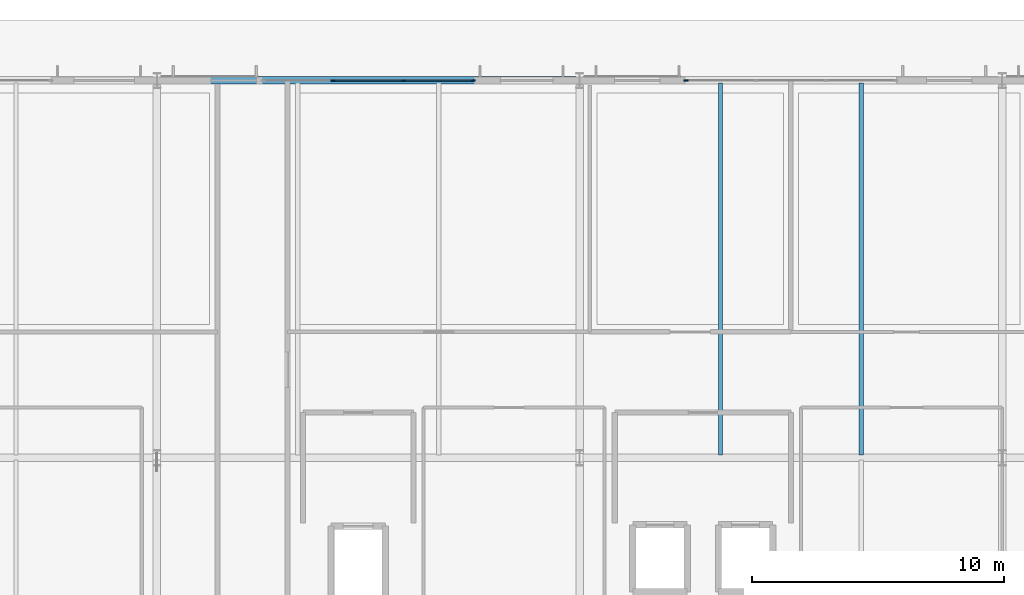
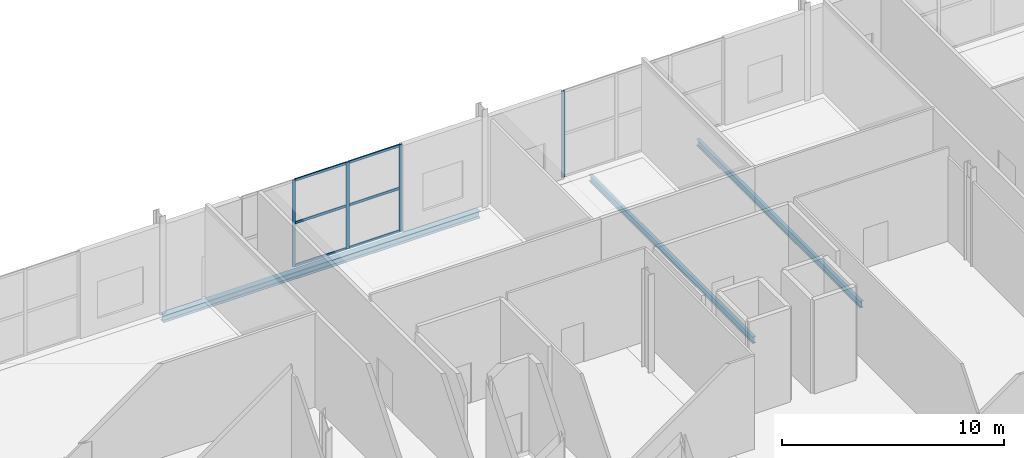
# One storey, part 34 of 87: 10 members, 3 beams, 2 elements without a shape of their own.
"""IFC4 building model written with IfcOpenShell, lengths in metres."""

import ifcopenshell
import ifcopenshell.guid

model = None  # the IFC model being written
_history = None  # IfcOwnerHistory: only IFC2X3 demands one
_inside = {}  # id of a spatial element -> (the spatial element, [elements in it])
_under = {}  # id of a project, library or spatial element -> (it, [spatial elements below it])
_declared = {}  # id of a project -> (the project, [libraries it declares])
_typed = {}  # id of a type object -> (the type object, [elements of that type])
_made_of = {}  # id of a material, layer set ... -> (it, [elements and type objects made of it])


def new_model(schema):
    """Start an empty IFC model of exactly this schema.

    Asked for "IFC4X3", IfcOpenShell would pick the latest addendum, in which some entities
    have other attributes; the version numbers below select the first issue.
    IFC2X3 requires an IfcOwnerHistory on every rooted entity: one is made here for all.
    """
    global model, _history
    if schema == "IFC4X3":
        model = ifcopenshell.file(schema_version=(4, 3, 0, 0))
    else:
        model = ifcopenshell.file(schema=schema)
    _inside.clear()
    _under.clear()
    _declared.clear()
    _typed.clear()
    _made_of.clear()
    _history = None
    if model.schema == "IFC2X3":
        org = make("IfcOrganization", Name="unknown")
        user = make(
            "IfcPersonAndOrganization",
            ThePerson=make("IfcPerson", FamilyName="unknown"),
            TheOrganization=org,
        )
        app = make(
            "IfcApplication",
            ApplicationDeveloper=org,
            Version="unknown",
            ApplicationFullName="unknown",
            ApplicationIdentifier="unknown",
        )
        _history = make(
            "IfcOwnerHistory",
            OwningUser=user,
            OwningApplication=app,
            ChangeAction="ADDED",
            CreationDate=0,
        )
    return model


def make(cls, **values):
    """One entity of the class cls with the attributes given. An attribute that is None is left unset."""
    return model.create_entity(
        cls, **{name: value for name, value in values.items() if value is not None}
    )


def rooted(cls, **values):
    """An entity with a GlobalId (a new one), such as an element, a storey or a relation."""
    return make(cls, GlobalId=ifcopenshell.guid.new(), OwnerHistory=_history, **values)


def si_unit(unit_type, name, prefix=None):
    """IfcSIUnit, for example si_unit("LENGTHUNIT", "METRE", prefix="MILLI")."""
    return make("IfcSIUnit", UnitType=unit_type, Prefix=prefix, Name=name)


def assignment(units):
    """IfcUnitAssignment: the units of a project."""
    return None if units is None else make("IfcUnitAssignment", Units=units)


def point(xyz):
    """IfcCartesianPoint."""
    return None if xyz is None else make("IfcCartesianPoint", Coordinates=xyz)


def direction(xyz):
    """IfcDirection."""
    return None if xyz is None else make("IfcDirection", DirectionRatios=xyz)


def frame(location, z_axis=None, x_axis=None):
    """IfcAxis2Placement3D, a coordinate frame: its origin and axes. An axis left out is left unset."""
    return make(
        "IfcAxis2Placement3D",
        Location=point(location),
        Axis=direction(z_axis),
        RefDirection=direction(x_axis),
    )


def frame_2d(location, x_axis=None):
    """IfcAxis2Placement2D, a coordinate frame in the plane: its origin and x axis."""
    return make(
        "IfcAxis2Placement2D", Location=point(location), RefDirection=direction(x_axis)
    )


def origin():
    """The frame at (0, 0, 0) with its axes left unset."""
    return frame((0.0, 0.0, 0.0))


def origin_2d():
    """The frame at (0, 0) in the plane with its x axis left unset."""
    return frame_2d((0.0, 0.0))


def place(relative_to, where):
    """IfcLocalPlacement: puts the frame where relative to a parent placement (None: the world)."""
    return make(
        "IfcLocalPlacement", PlacementRelTo=relative_to, RelativePlacement=where
    )


def context(
    kind, dimensions, precision=None, world=None, true_north=None, identifier=None
):
    """IfcGeometricRepresentationContext, for example the 3D "Model" context."""
    return make(
        "IfcGeometricRepresentationContext",
        ContextIdentifier=identifier,
        ContextType=kind,
        CoordinateSpaceDimension=dimensions,
        Precision=precision,
        WorldCoordinateSystem=world,
        TrueNorth=true_north,
    )


def subcontext(parent, identifier, kind, view, scale=None):
    """IfcGeometricRepresentationSubContext, for example "Body" below "Model"."""
    return make(
        "IfcGeometricRepresentationSubContext",
        ContextIdentifier=identifier,
        ContextType=kind,
        ParentContext=parent,
        TargetScale=scale,
        TargetView=view,
    )


def project(units=None, contexts=None):
    """IfcProject with its units and contexts."""
    return rooted(
        "IfcProject",
        Name="project",
        RepresentationContexts=contexts,
        UnitsInContext=assignment(units),
    )


def spatial(cls, under=None, at=None, **own):
    """A site, building, storey or space (cls), placed at a placement, below another one or the project."""
    s = rooted(cls, ObjectPlacement=at, **own)
    if under is not None:
        _under.setdefault(under.id(), (under, []))[1].append(s)
    return s


def profile(cls, at=None, kind="AREA", **sizes):
    """A parametric profile (cls). Its sizes go by their IFC names, for example OverallWidth=200.0."""
    return make(cls, ProfileType=kind, Position=at, **sizes)


def rectangle(**sizes):
    """IfcRectangleProfileDef."""
    return profile("IfcRectangleProfileDef", **sizes)


def i_section(**sizes):
    """IfcIShapeProfileDef."""
    return profile("IfcIShapeProfileDef", **sizes)


def extrude(swept, where, along, depth):
    """IfcExtrudedAreaSolid: the profile swept, set in the frame where, extruded along a direction by depth."""
    return make(
        "IfcExtrudedAreaSolid",
        SweptArea=swept,
        Position=where,
        ExtrudedDirection=direction(along),
        Depth=depth,
    )


def shape(context_of_items, identifier, shape_type, items):
    """IfcShapeRepresentation: the items that make up one representation, for example the "Body"."""
    return make(
        "IfcShapeRepresentation",
        ContextOfItems=context_of_items,
        RepresentationIdentifier=identifier,
        RepresentationType=shape_type,
        Items=items,
    )


def material(Name=None, Category=None):
    """IfcMaterial."""
    return make("IfcMaterial", Name=Name, Category=Category)


def material_profile(
    of_material, cross_section, Name=None, Category=None, Priority=None
):
    """IfcMaterialProfile: a cross section and its material."""
    return make(
        "IfcMaterialProfile",
        Name=Name,
        Material=of_material,
        Profile=cross_section,
        Priority=Priority,
        Category=Category,
    )


def profile_set(profiles, Name=None, composite=None):
    """IfcMaterialProfileSet."""
    return make(
        "IfcMaterialProfileSet",
        Name=Name,
        MaterialProfiles=profiles,
        CompositeProfile=composite,
    )


def made_of(thing, what):
    """Note that an element or type object is made of a material, layer set ...; save() writes the relation."""
    if what is not None:
        _made_of.setdefault(what.id(), (what, []))[1].append(thing)
    return thing


def type_object(cls, material=None, **own):
    """A type object (cls), such as IfcWallType, which elements share."""
    return made_of(rooted(cls, **own), material)


def element(
    cls,
    number,
    at=None,
    inside=None,
    cuts=None,
    type_object=None,
    material=None,
    context=None,
    identifier="Body",
    shape_type=None,
    held_by="IfcProductDefinitionShape",
    body=None,
    shapes=None,
    **own,
):
    """One element of the class cls, such as IfcWall. Its Tag is "e" and its number.

    at: its placement. inside: the storey or other place that contains it. cuts: it is an
    opening in that element (IfcRelVoidsElement). A single representation is given by context,
    identifier, shape_type and body (its items); several are given by shapes. held_by: the class
    of the entity that holds the representations. save() writes the other relations.
    """
    e = rooted(cls, Tag="e%d" % number, ObjectPlacement=at, **own)
    if body is not None:
        shapes = [shape(context, identifier, shape_type, body)]
    if shapes is not None:
        e.Representation = make(held_by, Representations=shapes)
    if inside is not None:
        _inside.setdefault(inside.id(), (inside, []))[1].append(e)
    if cuts is not None:
        rooted(
            "IfcRelVoidsElement", RelatingBuildingElement=cuts, RelatedOpeningElement=e
        )
    if type_object is not None:
        _typed.setdefault(type_object.id(), (type_object, []))[1].append(e)
    return made_of(e, material)


def aggregate(whole, parts):
    """IfcRelAggregates: a whole, such as a stair, and the parts it consists of."""
    return rooted("IfcRelAggregates", RelatingObject=whole, RelatedObjects=parts)


def save(model, path):
    """Write the relations noted so far, then the file.

    IfcRelAggregates (storeys below a building ...), IfcRelContainedInSpatialStructure (elements
    in a storey), IfcRelDefinesByType, IfcRelAssociatesMaterial and IfcRelDeclares: one each for
    every whole, place, type object, material and project.
    """
    for whole, parts in _under.values():
        aggregate(whole, parts)
    for where, things in _inside.values():
        rooted(
            "IfcRelContainedInSpatialStructure",
            RelatedElements=things,
            RelatingStructure=where,
        )
    for kind, things in _typed.values():
        rooted("IfcRelDefinesByType", RelatedObjects=things, RelatingType=kind)
    for what, things in _made_of.values():
        rooted("IfcRelAssociatesMaterial", RelatedObjects=things, RelatingMaterial=what)
    for by, libraries in _declared.values():
        rooted("IfcRelDeclares", RelatingContext=by, RelatedDefinitions=libraries)
    model.write(path)


model = new_model("IFC4")

# Units and contexts
model_context = context("Model", 3, precision=1e-05, world=origin(), true_north=direction((0.0, 1.0)))
body_context = subcontext(model_context, "Body", "Model", "MODEL_VIEW")
ifc_project = project(units=[si_unit("LENGTHUNIT", "METRE"), si_unit("AREAUNIT", "SQUARE_METRE"), si_unit("VOLUMEUNIT", "CUBIC_METRE"), si_unit("PLANEANGLEUNIT", "RADIAN"), si_unit("MASSUNIT", "GRAM", prefix="KILO")], contexts=[model_context])

# Site, building, storey
site_placement = place(None, origin())
site = spatial("IfcSite", under=ifc_project, at=site_placement, CompositionType="ELEMENT")
building_placement = place(site_placement, origin())
building = spatial("IfcBuilding", under=site, at=building_placement, Name="Kimbaza Rail Terminus", CompositionType="ELEMENT")
storey_placement = place(building_placement, origin())
storey = spatial("IfcBuildingStorey", under=building, at=storey_placement, Name="L00", CompositionType="ELEMENT", Elevation=0.0)

# Curtain wall, members
ifc_material_1 = material(Name="Anodised aluminium framing and solar low-E glazing", Category="aluminium")
curtain_wall_type = type_object("IfcCurtainWallType", Name="ARC-CW-OP1", PredefinedType="USERDEFINED", material=ifc_material_1)
curtain_wall_1_placement = place(storey_placement, origin())
curtain_wall_1 = element("IfcCurtainWall", 1, at=curtain_wall_1_placement, inside=storey, type_object=curtain_wall_type, Name="Operations North Curtain Wall L00 Bay 2", ObjectType="UNITISED CURTAIN WALL", PredefinedType="USERDEFINED")
ifc_material_2 = material(Name="Anodised architectural aluminium", Category="aluminium")
ifc_material_profile_1 = material_profile(ifc_material_2, rectangle(XDim=0.06201171875, YDim=0.1650390625, at=origin_2d()), Name="MULLION 62x165")
ifc_profile_set_1 = profile_set([ifc_material_profile_1], Name="Anodised architectural aluminium")
member_type_1 = type_object("IfcMemberType", Name="ARC-CWM-05", PredefinedType="MULLION", material=ifc_profile_set_1)
member_1_placement = place(storey_placement, frame((79.0, 133.0, 0.0), z_axis=(0.0, 0.0, 1.0), x_axis=(0.0, 1.0, 0.0)))
member_1 = element("IfcMember", 2, at=member_1_placement, type_object=member_type_1, Name="CW-05 mullion 2", PredefinedType="MULLION", context=body_context, shape_type="SweptSolid", body=[
    extrude(rectangle(XDim=0.06201171875, YDim=0.1650390625, at=origin_2d()), origin(), (0.0, 0.0, 1.0), 4.764892578125),
])
member_2_placement = place(storey_placement, frame((81.800048828125, 133.0, 0.0), z_axis=(0.0, 0.0, 1.0), x_axis=(0.0, 1.0, 0.0)))
member_2 = element("IfcMember", 3, at=member_2_placement, type_object=member_type_1, Name="CW-05 mullion 3", PredefinedType="MULLION", context=body_context, shape_type="SweptSolid", body=[
    extrude(rectangle(XDim=0.06201171875, YDim=0.1650390625, at=origin_2d()), origin(), (0.0, 0.0, 1.0), 4.764892578125),
])
member_3_placement = place(storey_placement, frame((84.569091796875, 133.0, 0.0), z_axis=(0.0, 0.0, 1.0), x_axis=(0.0, 1.0, 0.0)))
member_3 = element("IfcMember", 4, at=member_3_placement, type_object=member_type_1, Name="CW-05 mullion 4", PredefinedType="MULLION", context=body_context, shape_type="SweptSolid", body=[
    extrude(rectangle(XDim=0.06201171875, YDim=0.1650390625, at=origin_2d()), origin(), (0.0, 0.0, 1.0), 4.764892578125),
])

# Curtain wall, member
curtain_wall_2_placement = place(storey_placement, origin())
curtain_wall_2 = element("IfcCurtainWall", 5, at=curtain_wall_2_placement, inside=storey, type_object=curtain_wall_type, Name="Operations North Curtain Wall L00 Bay 3", ObjectType="UNITISED CURTAIN WALL", PredefinedType="USERDEFINED")
member_4_placement = place(storey_placement, frame((93.031005859375, 133.0, 0.0), z_axis=(0.0, 0.0, 1.0), x_axis=(0.0, 1.0, 0.0)))
member_4 = element("IfcMember", 6, at=member_4_placement, type_object=member_type_1, Name="CW-05 mullion 1", PredefinedType="MULLION", context=body_context, shape_type="SweptSolid", body=[
    extrude(rectangle(XDim=0.06201171875, YDim=0.1650390625, at=origin_2d()), origin(), (0.0, 0.0, 1.0), 4.764892578125),
])
aggregate(curtain_wall_2, [member_4])

# Member
ifc_material_3 = material(Name="Anodised architectural aluminium", Category="aluminium")
ifc_material_profile_2 = material_profile(ifc_material_3, rectangle(XDim=0.06201171875, YDim=0.135009765625, at=origin_2d()), Name="TRANSOM 62x135")
ifc_profile_set_2 = profile_set([ifc_material_profile_2], Name="Anodised architectural aluminium")
member_type_2 = type_object("IfcMemberType", Name="ARC-CWT-05", PredefinedType="USERDEFINED", material=ifc_profile_set_2)
member_5_placement = place(storey_placement, frame((79.031005859375, 133.0, 0.031005859375), z_axis=(1.0, 0.0, 0.0), x_axis=(0.0, 1.0, 0.0)))
member_5 = element("IfcMember", 7, at=member_5_placement, type_object=member_type_2, Name="CW-05 transom 2.1", ObjectType="TRANSOM", PredefinedType="USERDEFINED", context=body_context, shape_type="SweptSolid", body=[
    extrude(rectangle(XDim=0.06201171875, YDim=0.135009765625, at=origin_2d()), origin(), (0.0, 0.0, 1.0), 2.738037109375),
])

member_6_placement = place(storey_placement, frame((79.031005859375, 133.0, 2.382568359375), z_axis=(1.0, 0.0, 0.0), x_axis=(0.0, 1.0, 0.0)))
member_6 = element("IfcMember", 8, at=member_6_placement, type_object=member_type_2, Name="CW-05 transom 2.2", ObjectType="TRANSOM", PredefinedType="USERDEFINED", context=body_context, shape_type="SweptSolid", body=[
    extrude(rectangle(XDim=0.06201171875, YDim=0.135009765625, at=origin_2d()), origin(), (0.0, 0.0, 1.0), 2.738037109375),
])

member_7_placement = place(storey_placement, frame((79.031005859375, 133.0, 4.73388671875), z_axis=(1.0, 0.0, 0.0), x_axis=(0.0, 1.0, 0.0)))
member_7 = element("IfcMember", 9, at=member_7_placement, type_object=member_type_2, Name="CW-05 transom 2.3", ObjectType="TRANSOM", PredefinedType="USERDEFINED", context=body_context, shape_type="SweptSolid", body=[
    extrude(rectangle(XDim=0.06201171875, YDim=0.135009765625, at=origin_2d()), origin(), (0.0, 0.0, 1.0), 2.738037109375),
])

member_8_placement = place(storey_placement, frame((81.8310546875, 133.0, 0.031005859375), z_axis=(1.0, 0.0, 0.0), x_axis=(0.0, 1.0, 0.0)))
member_8 = element("IfcMember", 10, at=member_8_placement, type_object=member_type_2, Name="CW-05 transom 3.1", ObjectType="TRANSOM", PredefinedType="USERDEFINED", context=body_context, shape_type="SweptSolid", body=[
    extrude(rectangle(XDim=0.06201171875, YDim=0.135009765625, at=origin_2d()), origin(), (0.0, 0.0, 1.0), 2.70703125),
])

member_9_placement = place(storey_placement, frame((81.8310546875, 133.0, 2.382568359375), z_axis=(1.0, 0.0, 0.0), x_axis=(0.0, 1.0, 0.0)))
member_9 = element("IfcMember", 11, at=member_9_placement, type_object=member_type_2, Name="CW-05 transom 3.2", ObjectType="TRANSOM", PredefinedType="USERDEFINED", context=body_context, shape_type="SweptSolid", body=[
    extrude(rectangle(XDim=0.06201171875, YDim=0.135009765625, at=origin_2d()), origin(), (0.0, 0.0, 1.0), 2.70703125),
])

member_10_placement = place(storey_placement, frame((81.8310546875, 133.0, 4.73388671875), z_axis=(1.0, 0.0, 0.0), x_axis=(0.0, 1.0, 0.0)))
member_10 = element("IfcMember", 12, at=member_10_placement, type_object=member_type_2, Name="CW-05 transom 3.3", ObjectType="TRANSOM", PredefinedType="USERDEFINED", context=body_context, shape_type="SweptSolid", body=[
    extrude(rectangle(XDim=0.06201171875, YDim=0.135009765625, at=origin_2d()), origin(), (0.0, 0.0, 1.0), 2.70703125),
])

aggregate(curtain_wall_1, [member_1, member_2, member_3, member_5, member_6, member_7, member_8, member_9, member_10])

# Beams
ifc_material_4 = material(Name="Steel S355", Category="steel")
ifc_material_profile_3 = material_profile(ifc_material_4, i_section(OverallWidth=0.300048828125, OverallDepth=0.389892578125, WebThickness=0.010986328125, FlangeThickness=0.01904296875, FilletRadius=0.027099609375, at=origin_2d()), Name="HEA 400")
ifc_profile_set_3 = profile_set([ifc_material_profile_3], Name="Steel S355")
beam_type_1 = type_object("IfcBeamType", Name="STR-BM-HEA400", PredefinedType="SPANDREL", material=ifc_profile_set_3)
beam_placement = place(storey_placement, frame((72.14599609375, 133.0, -0.43505859375), z_axis=(1.0, 0.0, 0.0), x_axis=(0.0, 1.0, 0.0)))
element("IfcBeam", 13, at=beam_placement, inside=storey, type_object=beam_type_1, Name="Operations Girder L00 X1-Y2", PredefinedType="SPANDREL", context=body_context, shape_type="SweptSolid", body=[
    extrude(i_section(OverallWidth=0.300048828125, OverallDepth=0.389892578125, WebThickness=0.010986328125, FlangeThickness=0.01904296875, FilletRadius=0.027099609375, at=origin_2d()), origin(), (0.0, 0.0, 1.0), 16.508056640625),
])
ifc_material_5 = material(Name="Steel S355", Category="steel")
ifc_material_profile_4 = material_profile(ifc_material_5, i_section(OverallWidth=0.169921875, OverallDepth=0.360107421875, WebThickness=0.008056640625, FlangeThickness=0.0126953125, FilletRadius=0.01806640625, at=origin_2d()), Name="IPE 360")
ifc_profile_set_4 = profile_set([ifc_material_profile_4], Name="Steel S355")
beam_type_2 = type_object("IfcBeamType", Name="STR-BM-IPE360", PredefinedType="JOIST", material=ifc_profile_set_4)
for number, where, z_axis, x_axis, name in (
    (14, (94.39990234375, 118.10009765625, -0.419921875), (0.0, 1.0, 0.0), (-1.0, 0.0, 0.0), "Operations Secondary Joist L00"),
    (15, (100.0, 118.10009765625, -0.419921875), (0.0, 1.0, 0.0), (-1.0, 0.0, 0.0), "Operations Secondary Joist L00"),
):
    element("IfcBeam", number, at=place(storey_placement, frame(where, z_axis=z_axis, x_axis=x_axis)), inside=storey, type_object=beam_type_2, Name=name, PredefinedType="JOIST", context=body_context, shape_type="SweptSolid", body=[
        extrude(i_section(OverallWidth=0.169921875, OverallDepth=0.360107421875, WebThickness=0.008056640625, FlangeThickness=0.0126953125, FilletRadius=0.01806640625, at=origin_2d()), origin(), (0.0, 0.0, 1.0), 14.7998046875),
    ])

save(model, "model.ifc")
